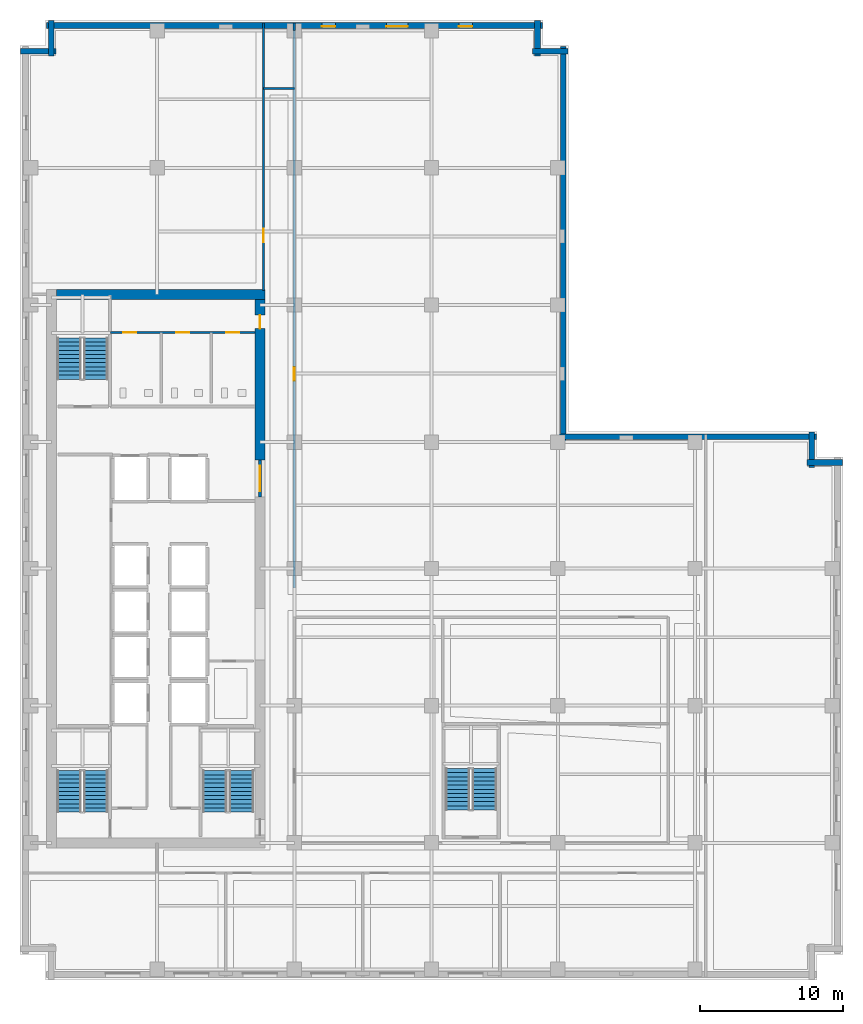
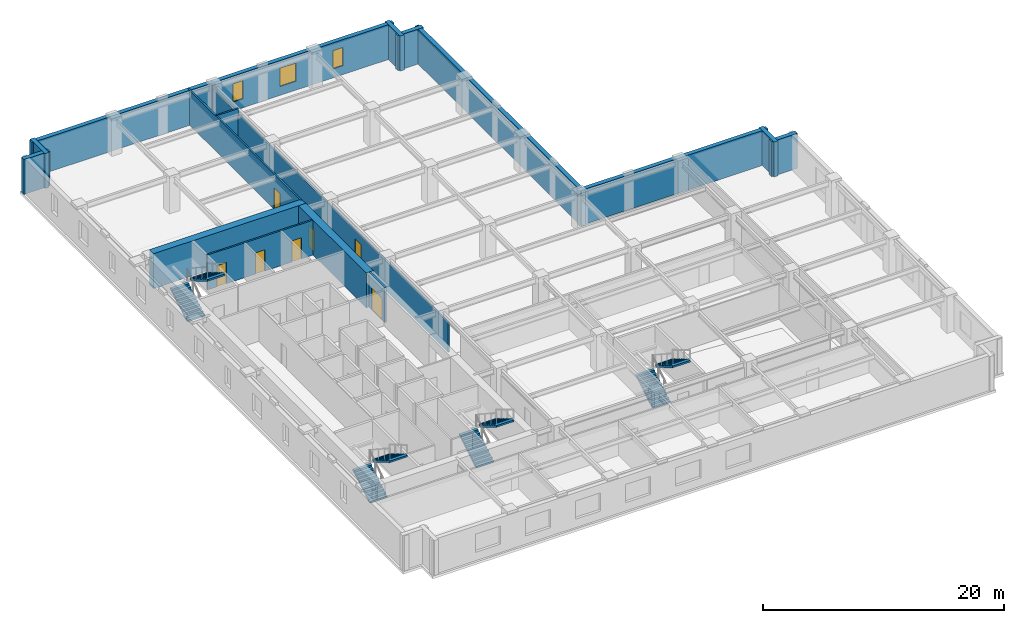
# One storey, part 6 of 11: 17 walls, 8 stair flights, 7 doors, 3 windows, 10 openings, 4 elements without a shape of their own.
"""IFC4 building model written with IfcOpenShell, lengths in metres."""

from ifc_helpers import new_model, si_unit, direction, frame, frame_2d, origin, place, context, subcontext, project, spatial, polyline, rectangle, outline, extrude, material, layer, layer_set, type_object, element, fill, aggregate, save


model = new_model("IFC4")

# Units and contexts
model_context = context("Model", 3, precision=1e-05, world=origin(), true_north=direction((0.0, 1.0)))
body_context = subcontext(model_context, "Body", "Model", "MODEL_VIEW")
ifc_project = project(units=[si_unit("LENGTHUNIT", "METRE"), si_unit("AREAUNIT", "SQUARE_METRE"), si_unit("VOLUMEUNIT", "CUBIC_METRE"), si_unit("PLANEANGLEUNIT", "RADIAN"), si_unit("MASSUNIT", "GRAM", prefix="KILO")], contexts=[model_context])

# Site, building, storey
site_placement = place(None, origin())
site = spatial("IfcSite", under=ifc_project, at=site_placement, CompositionType="ELEMENT")
building_placement = place(site_placement, origin())
building = spatial("IfcBuilding", under=site, at=building_placement, Name="Norrvale University Quadrangle", CompositionType="ELEMENT")
storey_placement = place(building_placement, frame((0.0, 0.0, 120.39990234375)))
storey = spatial("IfcBuildingStorey", under=building, at=storey_placement, Name="L30", CompositionType="ELEMENT", Elevation=120.39990234375)

# Wall
ifc_material_1 = material(Name="Concrete C60/75", Category="concrete")
ifc_layer_1 = layer(ifc_material_1, 0.699951171875, Name="Concrete C60/75")
ifc_layer_set_1 = layer_set([ifc_layer_1], Name="Concrete C60/75")
wall_type_1 = type_object("IfcWallType", Name="Wall Core 700", PredefinedType="SHEAR", material=ifc_layer_set_1)
wall_1_placement = place(storey_placement, frame((2.550048828125, 48.0, 0.0), z_axis=(0.0, 0.0, 1.0), x_axis=(1.0, 0.0, 0.0)))
element("IfcWall", 1, at=wall_1_placement, inside=storey, type_object=wall_type_1, Name="Tower Core Shear Wall L30-N", PredefinedType="SHEAR", context=body_context, shape_type="SweptSolid", body=[
    extrude(rectangle(XDim=14.599853515625, YDim=0.699951171875, at=frame_2d((7.2998046875, 0.0))), origin(), (0.0, 0.0, 1.0), 3.5400390625),
])

# Wall, opening, door
wall_2_placement = place(storey_placement, frame((16.800048828125, 36.39990234375, 0.0), z_axis=(0.0, 0.0, 1.0), x_axis=(0.0, 1.0, 0.0)))
wall_2 = element("IfcWall", 2, at=wall_2_placement, inside=storey, type_object=wall_type_1, Name="Tower Core Shear Wall L30-E3", PredefinedType="SHEAR", context=body_context, shape_type="SweptSolid", body=[
    extrude(rectangle(XDim=11.25, YDim=0.699951171875, at=frame_2d((5.625, 0.0))), origin(), (0.0, 0.0, 1.0), 3.5400390625),
])
opening_1_placement = place(wall_2_placement, frame((9.199951171875, 0.0, 0.0)))
opening_1 = element("IfcOpeningElement", 3, at=opening_1_placement, cuts=wall_2, Name="Opening D07", PredefinedType="OPENING", context=body_context, shape_type="SweptSolid", body=[
    extrude(rectangle(XDim=0.949951171875, YDim=2.14990234375, at=frame_2d((0.47509765625, 1.074951171875))), frame((0.0, 0.362060546875, 0.0), z_axis=(0.0, -1.0, 0.0), x_axis=(1.0, 0.0, 0.0)), (0.0, 0.0, 1.0), 0.723876953125),
])
ifc_material_2 = material(Name="Solid-Core Maple Door", Category="wood")
door_type_1 = type_object("IfcDoorType", Name="Door Office 950x2150", OperationType="NOTDEFINED", PredefinedType="DOOR", material=ifc_material_2)
door_1_placement = place(opening_1_placement, origin())
door_1 = element("IfcDoor", 4, at=door_1_placement, inside=storey, type_object=door_type_1, Name="Door Office 950x2150 DR-L30-NECORR", OperationType="SINGLE_SWING_LEFT", OverallHeight=2.14990234375, OverallWidth=0.949951171875, PredefinedType="DOOR", context=body_context, shape_type="SweptSolid", body=[
    extrude(rectangle(XDim=0.949951171875, YDim=2.14990234375, at=frame_2d((0.47509765625, 1.074951171875))), frame((0.0, 0.02490234375, 0.0), z_axis=(0.0, -1.0, 0.0), x_axis=(1.0, 0.0, 0.0)), (0.0, 0.0, 1.0), 0.050048828125),
])
fill(opening_1, door_1)

# Wall
ifc_material_3 = material(Name="Fire-Rated Gypsum Stud Partition")
ifc_layer_2 = layer(ifc_material_3, 0.14990234375, Name="Fire-Rated Gypsum Stud Partition")
ifc_layer_set_2 = layer_set([ifc_layer_2], Name="Fire-Rated Gypsum Stud Partition")
wall_type_2 = type_object("IfcWallType", Name="Wall Gypsum Corridor 150", PredefinedType="PARTITIONING", material=ifc_layer_set_2)
wall_3_placement = place(storey_placement, frame((17.050048828125, 62.39990234375, 0.0), z_axis=(0.0, 0.0, 1.0), x_axis=(1.0, 0.0, 0.0)))
element("IfcWall", 5, at=wall_3_placement, inside=storey, type_object=wall_type_2, Name="Interior Partition WL-L30-CN-END", PredefinedType="PARTITIONING", context=body_context, shape_type="SweptSolid", body=[
    extrude(rectangle(XDim=2.14990234375, YDim=0.14990234375, at=frame_2d((1.074951171875, 0.0))), origin(), (0.0, 0.0, 1.0), 3.5400390625),
])

# Wall, opening, door
wall_4_placement = place(storey_placement, frame((19.199951171875, 27.449951171875, 0.0), z_axis=(0.0, 0.0, 1.0), x_axis=(0.0, 1.0, 0.0)))
wall_4 = element("IfcWall", 6, at=wall_4_placement, inside=storey, type_object=wall_type_2, Name="Interior Partition WL-L30-NECW", PredefinedType="PARTITIONING", context=body_context, shape_type="SweptSolid", body=[
    extrude(rectangle(XDim=39.0, YDim=0.14990234375, at=frame_2d((19.5, 0.0))), origin(), (0.0, 0.0, 1.0), 2.99609375),
])
opening_2_placement = place(wall_4_placement, frame((14.5, 0.0, 0.0)))
opening_2 = element("IfcOpeningElement", 7, at=opening_2_placement, cuts=wall_4, Name="Opening D07", PredefinedType="OPENING", context=body_context, shape_type="SweptSolid", body=[
    extrude(rectangle(XDim=0.949951171875, YDim=2.14990234375, at=frame_2d((0.47509765625, 1.074951171875))), frame((0.0, 0.0869140625, 0.0), z_axis=(0.0, -1.0, 0.0), x_axis=(1.0, 0.0, 0.0)), (0.0, 0.0, 1.0), 0.173828125),
])
door_2_placement = place(opening_2_placement, origin())
door_2 = element("IfcDoor", 8, at=door_2_placement, inside=storey, type_object=door_type_1, Name="Door Office 950x2150 DR-L30-NE01", OperationType="SINGLE_SWING_RIGHT", OverallHeight=2.14990234375, OverallWidth=0.949951171875, PredefinedType="DOOR", context=body_context, shape_type="SweptSolid", body=[
    extrude(rectangle(XDim=0.949951171875, YDim=2.14990234375, at=frame_2d((0.47509765625, 1.074951171875))), frame((0.0, 0.02490234375, 0.0), z_axis=(0.0, -1.0, 0.0), x_axis=(1.0, 0.0, 0.0)), (0.0, 0.0, 1.0), 0.050048828125),
])
fill(opening_2, door_2)

# Wall
wall_5_placement = place(storey_placement, frame((19.199951171875, 66.449951171875, 0.0), z_axis=(0.0, 0.0, 1.0), x_axis=(0.0, 1.0, 0.0)))
element("IfcWall", 9, at=wall_5_placement, inside=storey, type_object=wall_type_2, Name="Interior Partition WL-L30-NECW-B2", PredefinedType="PARTITIONING", context=body_context, shape_type="SweptSolid", body=[
    extrude(rectangle(XDim=0.530029296875, YDim=0.14990234375, at=frame_2d((0.26513671875, 0.0))), origin(), (0.0, 0.0, 1.0), 3.5400390625),
])

# Wall, opening, door
wall_6_placement = place(storey_placement, frame((17.050048828125, 48.25, 0.0), z_axis=(0.0, 0.0, 1.0), x_axis=(0.0, 1.0, 0.0)))
wall_6 = element("IfcWall", 10, at=wall_6_placement, inside=storey, type_object=wall_type_2, Name="Interior Partition WL-L30-NWCW", PredefinedType="PARTITIONING", context=body_context, shape_type="SweptSolid", body=[
    extrude(rectangle(XDim=18.72998046875, YDim=0.14990234375, at=frame_2d((9.364990234375, 0.0))), origin(), (0.0, 0.0, 1.0), 3.5400390625),
])
opening_3_placement = place(wall_6_placement, frame((3.39990234375, 0.0, 0.0)))
opening_3 = element("IfcOpeningElement", 11, at=opening_3_placement, cuts=wall_6, Name="Opening D07", PredefinedType="OPENING", context=body_context, shape_type="SweptSolid", body=[
    extrude(rectangle(XDim=0.949951171875, YDim=2.14990234375, at=frame_2d((0.47509765625, 1.074951171875))), frame((0.0, 0.0869140625, 0.0), z_axis=(0.0, -1.0, 0.0), x_axis=(1.0, 0.0, 0.0)), (0.0, 0.0, 1.0), 0.173828125),
])
door_3_placement = place(opening_3_placement, origin())
door_3 = element("IfcDoor", 12, at=door_3_placement, inside=storey, type_object=door_type_1, Name="Door Office 950x2150 DR-L30-NW01", OperationType="SINGLE_SWING_RIGHT", OverallHeight=2.14990234375, OverallWidth=0.949951171875, PredefinedType="DOOR", context=body_context, shape_type="SweptSolid", body=[
    extrude(rectangle(XDim=0.949951171875, YDim=2.14990234375, at=frame_2d((0.47509765625, 1.074951171875))), frame((0.0, 0.02490234375, 0.0), z_axis=(0.0, -1.0, 0.0), x_axis=(1.0, 0.0, 0.0)), (0.0, 0.0, 1.0), 0.050048828125),
])
fill(opening_3, door_3)

# Wall, openings, doors
ifc_material_4 = material(Name="Sanitary Chase Gypsum Partition")
ifc_layer_3 = layer(ifc_material_4, 0.1650390625, Name="Sanitary Chase Gypsum Partition")
ifc_layer_set_3 = layer_set([ifc_layer_3], Name="Sanitary Chase Gypsum Partition")
wall_type_3 = type_object("IfcWallType", Name="Wall Gypsum Sanitary 165", PredefinedType="PLUMBINGWALL", material=ifc_layer_set_3)
wall_7_placement = place(storey_placement, frame((6.320068359375, 45.320068359375, 0.0), z_axis=(0.0, 0.0, 1.0), x_axis=(1.0, 0.0, 0.0)))
wall_7 = element("IfcWall", 13, at=wall_7_placement, inside=storey, type_object=wall_type_3, Name="Interior Partition WL-L30-WCN", PredefinedType="PLUMBINGWALL", context=body_context, shape_type="SweptSolid", body=[
    extrude(rectangle(XDim=10.1298828125, YDim=0.1650390625, at=frame_2d((5.06494140625, 0.0))), origin(), (0.0, 0.0, 1.0), 3.5400390625),
])
opening_4_placement = place(wall_7_placement, frame((0.89990234375, 0.0, 0.0)))
opening_4 = element("IfcOpeningElement", 14, at=opening_4_placement, cuts=wall_7, Name="Opening D08", PredefinedType="OPENING", context=body_context, shape_type="SweptSolid", body=[
    extrude(rectangle(XDim=0.919921875, YDim=2.14990234375, at=frame_2d((0.4599609375, 1.074951171875))), frame((0.0, 0.094482421875, 0.0), z_axis=(0.0, -1.0, 0.0), x_axis=(1.0, 0.0, 0.0)), (0.0, 0.0, 1.0), 0.18896484375),
])
opening_5_placement = place(wall_7_placement, frame((4.60009765625, 0.0, 0.0)))
opening_5 = element("IfcOpeningElement", 15, at=opening_5_placement, cuts=wall_7, Name="Opening D08", PredefinedType="OPENING", context=body_context, shape_type="SweptSolid", body=[
    extrude(rectangle(XDim=0.919921875, YDim=2.14990234375, at=frame_2d((0.4599609375, 1.074951171875))), frame((0.0, 0.094482421875, 0.0), z_axis=(0.0, -1.0, 0.0), x_axis=(1.0, 0.0, 0.0)), (0.0, 0.0, 1.0), 0.18896484375),
])
opening_6_placement = place(wall_7_placement, frame((8.10009765625, 0.0, 0.0)))
opening_6 = element("IfcOpeningElement", 16, at=opening_6_placement, cuts=wall_7, Name="Opening D08", PredefinedType="OPENING", context=body_context, shape_type="SweptSolid", body=[
    extrude(rectangle(XDim=0.919921875, YDim=2.14990234375, at=frame_2d((0.4599609375, 1.074951171875))), frame((0.0, 0.094482421875, 0.0), z_axis=(0.0, -1.0, 0.0), x_axis=(1.0, 0.0, 0.0)), (0.0, 0.0, 1.0), 0.18896484375),
])
ifc_material_5 = material(Name="Laminate Washroom Door", Category="wood")
door_type_2 = type_object("IfcDoorType", Name="Door Washroom 920x2150", OperationType="NOTDEFINED", PredefinedType="DOOR", material=ifc_material_5)
door_4_placement = place(opening_4_placement, origin())
door_4 = element("IfcDoor", 17, at=door_4_placement, inside=storey, type_object=door_type_2, Name="Door Washroom 920x2150 DR-L30-WC1", OperationType="SINGLE_SWING_LEFT", OverallHeight=2.14990234375, OverallWidth=0.919921875, PredefinedType="DOOR", context=body_context, shape_type="SweptSolid", body=[
    extrude(rectangle(XDim=0.919921875, YDim=2.14990234375, at=frame_2d((0.4599609375, 1.074951171875))), frame((0.0, 0.02490234375, 0.0), z_axis=(0.0, -1.0, 0.0), x_axis=(1.0, 0.0, 0.0)), (0.0, 0.0, 1.0), 0.050048828125),
])
fill(opening_4, door_4)
door_5_placement = place(opening_5_placement, origin())
door_5 = element("IfcDoor", 18, at=door_5_placement, inside=storey, type_object=door_type_2, Name="Door Washroom 920x2150 DR-L30-WC2", OperationType="SINGLE_SWING_RIGHT", OverallHeight=2.14990234375, OverallWidth=0.919921875, PredefinedType="DOOR", context=body_context, shape_type="SweptSolid", body=[
    extrude(rectangle(XDim=0.919921875, YDim=2.14990234375, at=frame_2d((0.4599609375, 1.074951171875))), frame((0.0, 0.02490234375, 0.0), z_axis=(0.0, -1.0, 0.0), x_axis=(1.0, 0.0, 0.0)), (0.0, 0.0, 1.0), 0.050048828125),
])
fill(opening_5, door_5)
door_6_placement = place(opening_6_placement, origin())
door_6 = element("IfcDoor", 19, at=door_6_placement, inside=storey, type_object=door_type_2, Name="Door Washroom 920x2150 DR-L30-WC3", OperationType="SINGLE_SWING_LEFT", OverallHeight=2.14990234375, OverallWidth=0.919921875, PredefinedType="DOOR", context=body_context, shape_type="SweptSolid", body=[
    extrude(rectangle(XDim=0.919921875, YDim=2.14990234375, at=frame_2d((0.4599609375, 1.074951171875))), frame((0.0, 0.02490234375, 0.0), z_axis=(0.0, -1.0, 0.0), x_axis=(1.0, 0.0, 0.0)), (0.0, 0.0, 1.0), 0.050048828125),
])
fill(opening_6, door_6)

# Wall, opening, door
ifc_material_6 = material(Name="Concrete Blockwork 20 MPa Rated Wall", Category="masonry")
ifc_layer_4 = layer(ifc_material_6, 0.199951171875, Name="Concrete Blockwork 20 MPa Rated Wall")
ifc_layer_set_4 = layer_set([ifc_layer_4], Name="Concrete Blockwork 20 MPa Rated Wall")
wall_type_4 = type_object("IfcWallType", Name="Wall Lobby 200", PredefinedType="SOLIDWALL", material=ifc_layer_set_4)
wall_8_placement = place(storey_placement, frame((16.800048828125, 33.800048828125, 0.0), z_axis=(0.0, 0.0, 1.0), x_axis=(0.0, 1.0, 0.0)))
wall_8 = element("IfcWall", 20, at=wall_8_placement, inside=storey, type_object=wall_type_4, Name="Interior Partition WL-L30-FFP", PredefinedType="SOLIDWALL", context=body_context, shape_type="SweptSolid", body=[
    extrude(rectangle(XDim=2.599853515625, YDim=0.199951171875, at=frame_2d((1.2998046875, 0.0))), origin(), (0.0, 0.0, 1.0), 3.5400390625),
])
opening_7_placement = place(wall_8_placement, frame((0.39990234375, 0.0, 0.0)))
opening_7 = element("IfcOpeningElement", 21, at=opening_7_placement, cuts=wall_8, Name="Opening D03", PredefinedType="OPENING", context=body_context, shape_type="SweptSolid", body=[
    extrude(rectangle(XDim=1.800048828125, YDim=2.199951171875, at=frame_2d((0.89990234375, 1.10009765625))), frame((0.0, 0.112060546875, 0.0), z_axis=(0.0, -1.0, 0.0), x_axis=(1.0, 0.0, 0.0)), (0.0, 0.0, 1.0), 0.223876953125),
])
ifc_material_7 = material(Name="Hollow Steel 350W Fire Door", Category="steel")
door_type_3 = type_object("IfcDoorType", Name="Door Fire Lobby 1800x2200", OperationType="DOUBLE_DOOR_SINGLE_SWING", PredefinedType="DOOR", material=ifc_material_7)
door_7_placement = place(opening_7_placement, origin())
door_7 = element("IfcDoor", 22, at=door_7_placement, inside=storey, type_object=door_type_3, Name="Door Fire Lobby 1800x2200 DR-L30-FFP", OperationType="DOUBLE_DOOR_SINGLE_SWING", OverallHeight=2.199951171875, OverallWidth=1.800048828125, PredefinedType="DOOR", context=body_context, shape_type="SweptSolid", body=[
    extrude(rectangle(XDim=1.800048828125, YDim=2.199951171875, at=frame_2d((0.89990234375, 1.10009765625))), frame((0.0, 0.02490234375, 0.0), z_axis=(0.0, -1.0, 0.0), x_axis=(1.0, 0.0, 0.0)), (0.0, 0.0, 1.0), 0.050048828125),
])
fill(opening_7, door_7)

# Walls
ifc_material_8 = material(Name="Red Manganese Brick Masonry", Category="masonry")
ifc_layer_5 = layer(ifc_material_8, 0.39990234375, Name="Red Manganese Brick Masonry")
ifc_layer_set_5 = layer_set([ifc_layer_5], Name="Red Manganese Brick Masonry")
wall_type_5 = type_object("IfcWallType", Name="Wall Red Brick 400", PredefinedType="SOLIDWALL", material=ifc_layer_set_5)
wall_9_placement = place(storey_placement, frame((57.56005859375, 36.219970703125, 0.0), z_axis=(0.0, 0.0, 1.0), x_axis=(-1.0, 0.0, 0.0)))
element("IfcWall", 23, at=wall_9_placement, inside=storey, type_object=wall_type_5, Name="Exterior Brick Facade Wall L30-05.1", PredefinedType="SOLIDWALL", context=body_context, shape_type="SweptSolid", body=[
    extrude(rectangle(XDim=2.47998046875, YDim=0.39990234375, at=frame_2d((1.239990234375, 0.0))), origin(), (0.0, 0.0, 1.0), 3.5400390625),
])
wall_10_placement = place(storey_placement, frame((55.419921875, 35.8798828125, 0.0), z_axis=(0.0, 0.0, 1.0), x_axis=(0.0, 1.0, 0.0)))
element("IfcWall", 24, at=wall_10_placement, inside=storey, type_object=wall_type_5, Name="Exterior Brick Facade Wall L30-06.1", PredefinedType="SOLIDWALL", context=body_context, shape_type="SweptSolid", body=[
    extrude(rectangle(XDim=2.480224609375, YDim=0.39990234375, at=frame_2d((1.240234375, 0.0))), origin(), (0.0, 0.0, 1.0), 3.5400390625),
])
wall_11_placement = place(storey_placement, frame((55.760009765625, 38.02001953125, 0.0), z_axis=(0.0, 0.0, 1.0), x_axis=(-1.0, 0.0, 0.0)))
element("IfcWall", 25, at=wall_11_placement, inside=storey, type_object=wall_type_5, Name="Exterior Brick Facade Wall L30-07.1", PredefinedType="SOLIDWALL", context=body_context, shape_type="SweptSolid", body=[
    extrude(rectangle(XDim=18.080078125, YDim=0.39990234375, at=frame_2d((9.0400390625, 0.0))), origin(), (0.0, 0.0, 1.0), 3.5400390625),
])
wall_12_placement = place(storey_placement, frame((38.02001953125, 37.679931640625, 0.0), z_axis=(0.0, 0.0, 1.0), x_axis=(0.0, 1.0, 0.0)))
element("IfcWall", 26, at=wall_12_placement, inside=storey, type_object=wall_type_5, Name="Exterior Brick Facade Wall L30-08.1", PredefinedType="SOLIDWALL", context=body_context, shape_type="SweptSolid", body=[
    extrude(rectangle(XDim=27.68017578125, YDim=0.39990234375, at=frame_2d((13.840087890625, 0.0))), origin(), (0.0, 0.0, 1.0), 3.5400390625),
])
wall_13_placement = place(storey_placement, frame((38.360107421875, 65.02001953125, 0.0), z_axis=(0.0, 0.0, 1.0), x_axis=(-1.0, 0.0, 0.0)))
element("IfcWall", 27, at=wall_13_placement, inside=storey, type_object=wall_type_5, Name="Exterior Brick Facade Wall L30-09.1", PredefinedType="SOLIDWALL", context=body_context, shape_type="SweptSolid", body=[
    extrude(rectangle(XDim=2.480224609375, YDim=0.39990234375, at=frame_2d((1.240234375, 0.0))), origin(), (0.0, 0.0, 1.0), 3.5400390625),
])
wall_14_placement = place(storey_placement, frame((36.219970703125, 64.679931640625, 0.0), z_axis=(0.0, 0.0, 1.0), x_axis=(0.0, 1.0, 0.0)))
element("IfcWall", 28, at=wall_14_placement, inside=storey, type_object=wall_type_5, Name="Exterior Brick Facade Wall L30-10.1", PredefinedType="SOLIDWALL", context=body_context, shape_type="SweptSolid", body=[
    extrude(rectangle(XDim=2.47998046875, YDim=0.39990234375, at=frame_2d((1.239990234375, 0.0))), origin(), (0.0, 0.0, 1.0), 3.5400390625),
])

# Wall, openings, windows
wall_15_placement = place(storey_placement, frame((36.56005859375, 66.820068359375, 0.0), z_axis=(0.0, 0.0, 1.0), x_axis=(-1.0, 0.0, 0.0)))
wall_15 = element("IfcWall", 29, at=wall_15_placement, inside=storey, type_object=wall_type_5, Name="Exterior Brick Facade Wall L30-11.1", PredefinedType="SOLIDWALL", context=body_context, shape_type="SweptSolid", body=[
    extrude(rectangle(XDim=34.719970703125, YDim=0.39990234375, at=frame_2d((17.35986328125, 0.0))), origin(), (0.0, 0.0, 1.0), 3.5400390625),
])
opening_8_placement = place(wall_15_placement, frame((4.885009765625, 0.0, 0.89990234375)))
opening_8 = element("IfcOpeningElement", 30, at=opening_8_placement, cuts=wall_15, Name="Opening W04", PredefinedType="OPENING", context=body_context, shape_type="SweptSolid", body=[
    extrude(rectangle(XDim=0.949951171875, YDim=1.85009765625, at=frame_2d((0.47509765625, 0.925048828125))), frame((0.0, 0.2119140625, 0.0), z_axis=(0.0, -1.0, 0.0), x_axis=(1.0, 0.0, 0.0)), (0.0, 0.0, 1.0), 0.423828125),
])
opening_9_placement = place(wall_15_placement, frame((9.409912109375, 0.0, 0.89990234375)))
opening_9 = element("IfcOpeningElement", 31, at=opening_9_placement, cuts=wall_15, Name="Opening W03", PredefinedType="OPENING", context=body_context, shape_type="SweptSolid", body=[
    extrude(rectangle(XDim=1.5, YDim=1.85009765625, at=frame_2d((0.75, 0.925048828125))), frame((0.0, 0.2119140625, 0.0), z_axis=(0.0, -1.0, 0.0), x_axis=(1.0, 0.0, 0.0)), (0.0, 0.0, 1.0), 0.423828125),
])
opening_10_placement = place(wall_15_placement, frame((14.485107421875, 0.0, 0.89990234375)))
opening_10 = element("IfcOpeningElement", 32, at=opening_10_placement, cuts=wall_15, Name="Opening W04", PredefinedType="OPENING", context=body_context, shape_type="SweptSolid", body=[
    extrude(rectangle(XDim=0.949951171875, YDim=1.85009765625, at=frame_2d((0.47509765625, 0.925048828125))), frame((0.0, 0.2119140625, 0.0), z_axis=(0.0, -1.0, 0.0), x_axis=(1.0, 0.0, 0.0)), (0.0, 0.0, 1.0), 0.423828125),
])
ifc_material_9 = material(Name="Triple Low-E Argon Glazing", Category="glass")
window_type_1 = type_object("IfcWindowType", Name="Window Narrow Pier 950x2300", PartitioningType="SINGLE_PANEL", PredefinedType="WINDOW", material=ifc_material_9)
window_1_placement = place(opening_8_placement, origin())
window_1 = element("IfcWindow", 33, at=window_1_placement, inside=storey, type_object=window_type_1, Name="Window Narrow Pier 950x2300 WIN-L30-E11-1-01", OverallHeight=1.85009765625, OverallWidth=0.949951171875, PartitioningType="SINGLE_PANEL", PredefinedType="WINDOW", context=body_context, shape_type="SweptSolid", body=[
    extrude(rectangle(XDim=0.949951171875, YDim=1.85009765625, at=frame_2d((0.47509765625, 0.925048828125))), frame((0.0, 0.110107421875, 0.0), z_axis=(0.0, -1.0, 0.0), x_axis=(1.0, 0.0, 0.0)), (0.0, 0.0, 1.0), 0.06005859375),
])
fill(opening_8, window_1)
window_2_placement = place(opening_10_placement, origin())
window_2 = element("IfcWindow", 34, at=window_2_placement, inside=storey, type_object=window_type_1, Name="Window Narrow Pier 950x2300 WIN-L30-E11-1-03", OverallHeight=1.85009765625, OverallWidth=0.949951171875, PartitioningType="SINGLE_PANEL", PredefinedType="WINDOW", context=body_context, shape_type="SweptSolid", body=[
    extrude(rectangle(XDim=0.949951171875, YDim=1.85009765625, at=frame_2d((0.47509765625, 0.925048828125))), frame((0.0, 0.110107421875, 0.0), z_axis=(0.0, -1.0, 0.0), x_axis=(1.0, 0.0, 0.0)), (0.0, 0.0, 1.0), 0.06005859375),
])
fill(opening_10, window_2)
window_type_2 = type_object("IfcWindowType", Name="Window Studio 1500x2300", PartitioningType="DOUBLE_PANEL_VERTICAL", PredefinedType="WINDOW", material=ifc_material_9)
window_3_placement = place(opening_9_placement, origin())
window_3 = element("IfcWindow", 35, at=window_3_placement, inside=storey, type_object=window_type_2, Name="Window Studio 1500x2300 WIN-L30-E11-1-02", OverallHeight=1.85009765625, OverallWidth=1.5, PartitioningType="DOUBLE_PANEL_VERTICAL", PredefinedType="WINDOW", context=body_context, shape_type="SweptSolid", body=[
    extrude(rectangle(XDim=1.5, YDim=1.85009765625, at=frame_2d((0.75, 0.925048828125))), frame((0.0, 0.110107421875, 0.0), z_axis=(0.0, -1.0, 0.0), x_axis=(1.0, 0.0, 0.0)), (0.0, 0.0, 1.0), 0.06005859375),
])
fill(opening_9, window_3)

# Walls
for number, where, z_axis, x_axis, name in (
    (36, (2.179931640625, 67.159912109375, 0.0), (0.0, 0.0, 1.0), (0.0, -1.0, 0.0), "Exterior Brick Facade Wall L30-12.1"),
    (37, (2.52001953125, 65.02001953125, 0.0), (0.0, 0.0, 1.0), (-1.0, 0.0, 0.0), "Exterior Brick Facade Wall L30-13.1"),
):
    element("IfcWall", number, at=place(storey_placement, frame(where, z_axis=z_axis, x_axis=x_axis)), inside=storey, type_object=wall_type_5, Name=name, PredefinedType="SOLIDWALL", context=body_context, shape_type="SweptSolid", body=[
        extrude(rectangle(XDim=2.47998046875, YDim=0.39990234375, at=frame_2d((1.239990234375, 0.0))), origin(), (0.0, 0.0, 1.0), 3.5400390625),
    ])

# Stair, stair flights
ifc_material_10 = material(Name="Concrete C40/50", Category="concrete")
stair_type = type_object("IfcStairType", Name="Stair Tower Typ 3800", PredefinedType="TWO_STRAIGHT_RUN_STAIR", material=ifc_material_10)
stair_1_placement = place(storey_placement, origin())
stair_1 = element("IfcStair", 38, at=stair_1_placement, inside=storey, type_object=stair_type, Name="Exit Stair ST-01 L30", PredefinedType="TWO_STRAIGHT_RUN_STAIR")
stair_flight_type = type_object("IfcStairFlightType", Name="Flight Typ 1500", PredefinedType="STRAIGHT", material=ifc_material_10)
stair_flight_1_placement = place(storey_placement, frame((3.429931640625, 11.75, 0.0), z_axis=(0.0, 0.0, 1.0), x_axis=(0.0, 1.0, 0.0)))
stair_flight_1 = element("IfcStairFlight", 39, at=stair_flight_1_placement, type_object=stair_flight_type, Name="Exit Stair ST-01 L30 Lower Flight", NumberOfRisers=11, NumberOfTreads=10, PredefinedType="STRAIGHT", RiserHeight=0.172727, TreadLength=0.29, context=body_context, shape_type="SweptSolid", body=[
    extrude(outline(polyline([(0.0, 0.0), (0.0, 0.172607421875), (0.2900390625, 0.172607421875), (0.2900390625, 0.345458984375), (0.580078125, 0.345458984375), (0.580078125, 0.51806640625), (0.8701171875, 0.51806640625), (0.8701171875, 0.69091796875), (1.159912109375, 0.69091796875), (1.159912109375, 0.863525390625), (1.449951171875, 0.863525390625), (1.449951171875, 1.036376953125), (1.739990234375, 1.036376953125), (1.739990234375, 1.208984375), (2.030029296875, 1.208984375), (2.030029296875, 1.3818359375), (2.320068359375, 1.3818359375), (2.320068359375, 1.554443359375), (2.610107421875, 1.554443359375), (2.610107421875, 1.727294921875), (2.89990234375, 1.727294921875), (2.89990234375, 1.89990234375), (2.89990234375, 1.552734375), (0.29296875, 0.0), (0.0, 0.0)])), frame((0.0, 0.83984375, 0.0), z_axis=(0.0, -1.0, 0.0), x_axis=(1.0, 0.0, 0.0)), (0.0, 0.0, 1.0), 1.679931640625),
])
stair_flight_2_placement = place(storey_placement, frame((5.320068359375, 14.64990234375, 1.900146484375), z_axis=(0.0, 0.0, 1.0), x_axis=(0.0, -1.0, 0.0)))
stair_flight_2 = element("IfcStairFlight", 40, at=stair_flight_2_placement, type_object=stair_flight_type, Name="Exit Stair ST-01 L30 Upper Flight", NumberOfRisers=11, NumberOfTreads=10, PredefinedType="STRAIGHT", RiserHeight=0.172727, TreadLength=0.29, context=body_context, shape_type="SweptSolid", body=[
    extrude(outline(polyline([(0.0, 0.0), (0.0, 0.172607421875), (0.2900390625, 0.172607421875), (0.2900390625, 0.345458984375), (0.580078125, 0.345458984375), (0.580078125, 0.51806640625), (0.8701171875, 0.51806640625), (0.8701171875, 0.69091796875), (1.159912109375, 0.69091796875), (1.159912109375, 0.863525390625), (1.449951171875, 0.863525390625), (1.449951171875, 1.036376953125), (1.739990234375, 1.036376953125), (1.739990234375, 1.208984375), (2.030029296875, 1.208984375), (2.030029296875, 1.3818359375), (2.320068359375, 1.3818359375), (2.320068359375, 1.554443359375), (2.610107421875, 1.554443359375), (2.610107421875, 1.727294921875), (2.89990234375, 1.727294921875), (2.89990234375, 1.89990234375), (2.89990234375, 1.552734375), (0.29296875, 0.0), (0.0, 0.0)])), frame((0.0, 0.83984375, 0.0), z_axis=(0.0, -1.0, 0.0), x_axis=(1.0, 0.0, 0.0)), (0.0, 0.0, 1.0), 1.679931640625),
])
aggregate(stair_1, [stair_flight_1, stair_flight_2])

stair_2_placement = place(storey_placement, origin())
stair_2 = element("IfcStair", 41, at=stair_2_placement, inside=storey, type_object=stair_type, Name="Exit Stair ST-02 L30", PredefinedType="TWO_STRAIGHT_RUN_STAIR")
stair_flight_3_placement = place(storey_placement, frame((3.429931640625, 42.050048828125, 0.0), z_axis=(0.0, 0.0, 1.0), x_axis=(0.0, 1.0, 0.0)))
stair_flight_3 = element("IfcStairFlight", 42, at=stair_flight_3_placement, type_object=stair_flight_type, Name="Exit Stair ST-02 L30 Lower Flight", NumberOfRisers=11, NumberOfTreads=10, PredefinedType="STRAIGHT", RiserHeight=0.172727, TreadLength=0.29, context=body_context, shape_type="SweptSolid", body=[
    extrude(outline(polyline([(0.0, 0.0), (0.0, 0.172607421875), (0.2900390625, 0.172607421875), (0.2900390625, 0.345458984375), (0.580078125, 0.345458984375), (0.580078125, 0.51806640625), (0.8701171875, 0.51806640625), (0.8701171875, 0.69091796875), (1.159912109375, 0.69091796875), (1.159912109375, 0.863525390625), (1.449951171875, 0.863525390625), (1.449951171875, 1.036376953125), (1.739990234375, 1.036376953125), (1.739990234375, 1.208984375), (2.030029296875, 1.208984375), (2.030029296875, 1.3818359375), (2.320068359375, 1.3818359375), (2.320068359375, 1.554443359375), (2.610107421875, 1.554443359375), (2.610107421875, 1.727294921875), (2.89990234375, 1.727294921875), (2.89990234375, 1.89990234375), (2.89990234375, 1.552734375), (0.29296875, 0.0), (0.0, 0.0)])), frame((0.0, 0.83984375, 0.0), z_axis=(0.0, -1.0, 0.0), x_axis=(1.0, 0.0, 0.0)), (0.0, 0.0, 1.0), 1.679931640625),
])
stair_flight_4_placement = place(storey_placement, frame((5.320068359375, 44.949951171875, 1.900146484375), z_axis=(0.0, 0.0, 1.0), x_axis=(0.0, -1.0, 0.0)))
stair_flight_4 = element("IfcStairFlight", 43, at=stair_flight_4_placement, type_object=stair_flight_type, Name="Exit Stair ST-02 L30 Upper Flight", NumberOfRisers=11, NumberOfTreads=10, PredefinedType="STRAIGHT", RiserHeight=0.172727, TreadLength=0.29, context=body_context, shape_type="SweptSolid", body=[
    extrude(outline(polyline([(0.0, 0.0), (0.0, 0.172607421875), (0.2900390625, 0.172607421875), (0.2900390625, 0.345458984375), (0.580078125, 0.345458984375), (0.580078125, 0.51806640625), (0.8701171875, 0.51806640625), (0.8701171875, 0.69091796875), (1.159912109375, 0.69091796875), (1.159912109375, 0.863525390625), (1.449951171875, 0.863525390625), (1.449951171875, 1.036376953125), (1.739990234375, 1.036376953125), (1.739990234375, 1.208984375), (2.030029296875, 1.208984375), (2.030029296875, 1.3818359375), (2.320068359375, 1.3818359375), (2.320068359375, 1.554443359375), (2.610107421875, 1.554443359375), (2.610107421875, 1.727294921875), (2.89990234375, 1.727294921875), (2.89990234375, 1.89990234375), (2.89990234375, 1.552734375), (0.29296875, 0.0), (0.0, 0.0)])), frame((0.0, 0.83984375, 0.0), z_axis=(0.0, -1.0, 0.0), x_axis=(1.0, 0.0, 0.0)), (0.0, 0.0, 1.0), 1.679931640625),
])
aggregate(stair_2, [stair_flight_3, stair_flight_4])

stair_3_placement = place(storey_placement, origin())
stair_3 = element("IfcStair", 44, at=stair_3_placement, inside=storey, type_object=stair_type, Name="Exit Stair ST-03 L30", PredefinedType="TWO_STRAIGHT_RUN_STAIR")
stair_flight_5_placement = place(storey_placement, frame((13.6298828125, 11.75, 0.0), z_axis=(0.0, 0.0, 1.0), x_axis=(0.0, 1.0, 0.0)))
stair_flight_5 = element("IfcStairFlight", 45, at=stair_flight_5_placement, type_object=stair_flight_type, Name="Exit Stair ST-03 L30 Lower Flight", NumberOfRisers=11, NumberOfTreads=10, PredefinedType="STRAIGHT", RiserHeight=0.172727, TreadLength=0.29, context=body_context, shape_type="SweptSolid", body=[
    extrude(outline(polyline([(0.0, 0.0), (0.0, 0.172607421875), (0.2900390625, 0.172607421875), (0.2900390625, 0.345458984375), (0.580078125, 0.345458984375), (0.580078125, 0.51806640625), (0.8701171875, 0.51806640625), (0.8701171875, 0.69091796875), (1.159912109375, 0.69091796875), (1.159912109375, 0.863525390625), (1.449951171875, 0.863525390625), (1.449951171875, 1.036376953125), (1.739990234375, 1.036376953125), (1.739990234375, 1.208984375), (2.030029296875, 1.208984375), (2.030029296875, 1.3818359375), (2.320068359375, 1.3818359375), (2.320068359375, 1.554443359375), (2.610107421875, 1.554443359375), (2.610107421875, 1.727294921875), (2.89990234375, 1.727294921875), (2.89990234375, 1.89990234375), (2.89990234375, 1.552734375), (0.29296875, 0.0), (0.0, 0.0)])), frame((0.0, 0.83984375, 0.0), z_axis=(0.0, -1.0, 0.0), x_axis=(1.0, 0.0, 0.0)), (0.0, 0.0, 1.0), 1.679931640625),
])
stair_flight_6_placement = place(storey_placement, frame((15.52001953125, 14.64990234375, 1.900146484375), z_axis=(0.0, 0.0, 1.0), x_axis=(0.0, -1.0, 0.0)))
stair_flight_6 = element("IfcStairFlight", 46, at=stair_flight_6_placement, type_object=stair_flight_type, Name="Exit Stair ST-03 L30 Upper Flight", NumberOfRisers=11, NumberOfTreads=10, PredefinedType="STRAIGHT", RiserHeight=0.172727, TreadLength=0.29, context=body_context, shape_type="SweptSolid", body=[
    extrude(outline(polyline([(0.0, 0.0), (0.0, 0.172607421875), (0.2900390625, 0.172607421875), (0.2900390625, 0.345458984375), (0.580078125, 0.345458984375), (0.580078125, 0.51806640625), (0.8701171875, 0.51806640625), (0.8701171875, 0.69091796875), (1.159912109375, 0.69091796875), (1.159912109375, 0.863525390625), (1.449951171875, 0.863525390625), (1.449951171875, 1.036376953125), (1.739990234375, 1.036376953125), (1.739990234375, 1.208984375), (2.030029296875, 1.208984375), (2.030029296875, 1.3818359375), (2.320068359375, 1.3818359375), (2.320068359375, 1.554443359375), (2.610107421875, 1.554443359375), (2.610107421875, 1.727294921875), (2.89990234375, 1.727294921875), (2.89990234375, 1.89990234375), (2.89990234375, 1.552734375), (0.29296875, 0.0), (0.0, 0.0)])), frame((0.0, 0.83984375, 0.0), z_axis=(0.0, -1.0, 0.0), x_axis=(1.0, 0.0, 0.0)), (0.0, 0.0, 1.0), 1.679931640625),
])
aggregate(stair_3, [stair_flight_5, stair_flight_6])

stair_4_placement = place(storey_placement, origin())
stair_4 = element("IfcStair", 47, at=stair_4_placement, inside=storey, type_object=stair_type, Name="Exit Stair ST-04 L30", PredefinedType="TWO_STRAIGHT_RUN_STAIR")
stair_flight_7_placement = place(storey_placement, frame((30.6298828125, 11.89990234375, 0.0), z_axis=(0.0, 0.0, 1.0), x_axis=(0.0, 1.0, 0.0)))
stair_flight_7 = element("IfcStairFlight", 48, at=stair_flight_7_placement, type_object=stair_flight_type, Name="Exit Stair ST-04 L30 Lower Flight", NumberOfRisers=11, NumberOfTreads=10, PredefinedType="STRAIGHT", RiserHeight=0.172727, TreadLength=0.29, context=body_context, shape_type="SweptSolid", body=[
    extrude(outline(polyline([(0.0, 0.0), (0.0, 0.172607421875), (0.2900390625, 0.172607421875), (0.2900390625, 0.345458984375), (0.580078125, 0.345458984375), (0.580078125, 0.51806640625), (0.8701171875, 0.51806640625), (0.8701171875, 0.69091796875), (1.159912109375, 0.69091796875), (1.159912109375, 0.863525390625), (1.449951171875, 0.863525390625), (1.449951171875, 1.036376953125), (1.739990234375, 1.036376953125), (1.739990234375, 1.208984375), (2.030029296875, 1.208984375), (2.030029296875, 1.3818359375), (2.320068359375, 1.3818359375), (2.320068359375, 1.554443359375), (2.610107421875, 1.554443359375), (2.610107421875, 1.727294921875), (2.89990234375, 1.727294921875), (2.89990234375, 1.89990234375), (2.89990234375, 1.552734375), (0.29296875, 0.0), (0.0, 0.0)])), frame((0.0, 0.83984375, 0.0), z_axis=(0.0, -1.0, 0.0), x_axis=(1.0, 0.0, 0.0)), (0.0, 0.0, 1.0), 1.679931640625),
])
stair_flight_8_placement = place(storey_placement, frame((32.52001953125, 14.800048828125, 1.900146484375), z_axis=(0.0, 0.0, 1.0), x_axis=(0.0, -1.0, 0.0)))
stair_flight_8 = element("IfcStairFlight", 49, at=stair_flight_8_placement, type_object=stair_flight_type, Name="Exit Stair ST-04 L30 Upper Flight", NumberOfRisers=11, NumberOfTreads=10, PredefinedType="STRAIGHT", RiserHeight=0.172727, TreadLength=0.29, context=body_context, shape_type="SweptSolid", body=[
    extrude(outline(polyline([(0.0, 0.0), (0.0, 0.172607421875), (0.2900390625, 0.172607421875), (0.2900390625, 0.345458984375), (0.580078125, 0.345458984375), (0.580078125, 0.51806640625), (0.8701171875, 0.51806640625), (0.8701171875, 0.69091796875), (1.159912109375, 0.69091796875), (1.159912109375, 0.863525390625), (1.449951171875, 0.863525390625), (1.449951171875, 1.036376953125), (1.739990234375, 1.036376953125), (1.739990234375, 1.208984375), (2.030029296875, 1.208984375), (2.030029296875, 1.3818359375), (2.320068359375, 1.3818359375), (2.320068359375, 1.554443359375), (2.610107421875, 1.554443359375), (2.610107421875, 1.727294921875), (2.89990234375, 1.727294921875), (2.89990234375, 1.89990234375), (2.89990234375, 1.552734375), (0.29296875, 0.0), (0.0, 0.0)])), frame((0.0, 0.83984375, 0.0), z_axis=(0.0, -1.0, 0.0), x_axis=(1.0, 0.0, 0.0)), (0.0, 0.0, 1.0), 1.679931640625),
])
aggregate(stair_4, [stair_flight_7, stair_flight_8])

save(model, "model.ifc")
